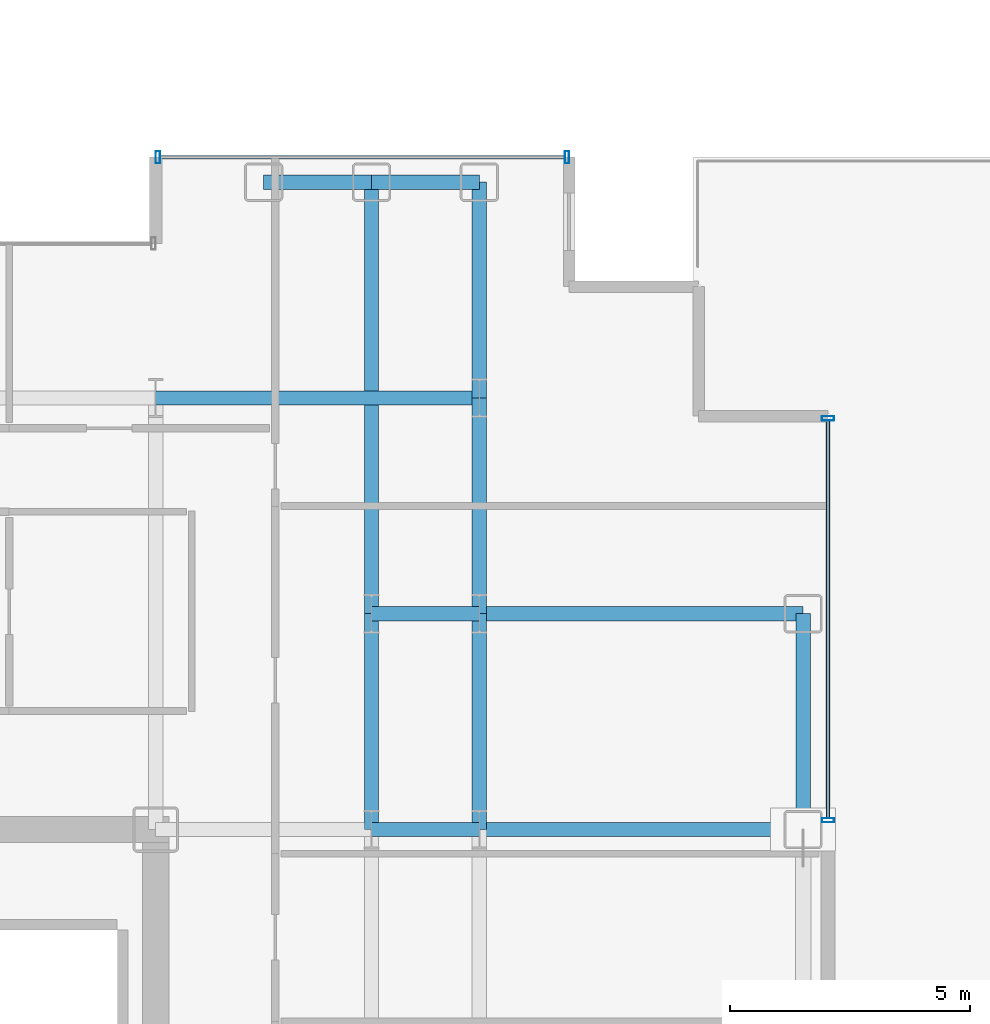
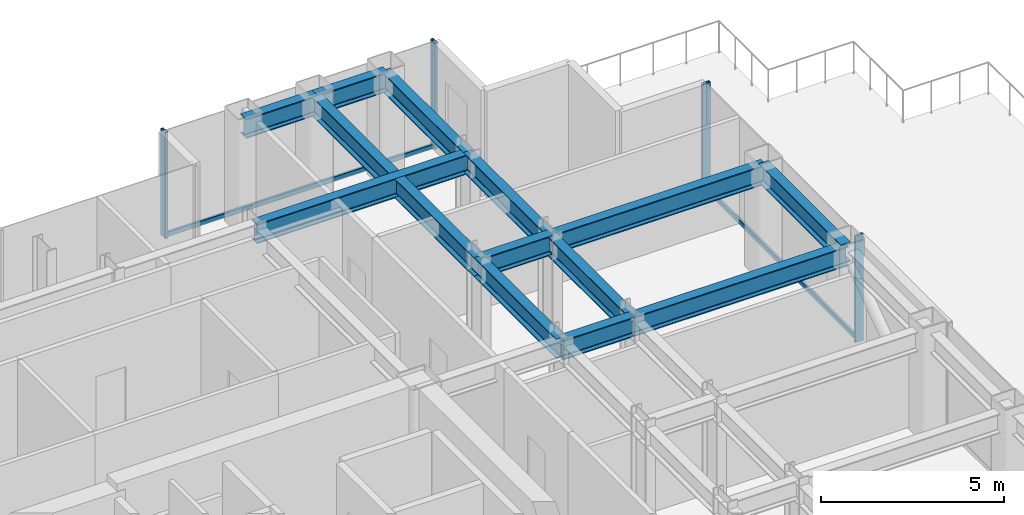
# One storey, part 16 of 27: 13 beams, 6 members, 2 elements without a shape of their own.
"""IFC4 building model written with IfcOpenShell, lengths in metres."""

from ifc_helpers import new_model, si_unit, direction, frame, origin, origin_2d, place, context, subcontext, project, spatial, hollow_rectangle, i_section, extrude, source, transform, mapped, material, layer, layer_set, material_profile, profile_set, type_object, element, aggregate, save


model = new_model("IFC4")

# Units and contexts
model_context = context("Model", 3, precision=1e-05, world=origin(), true_north=direction((0.0, 1.0)))
body_context = subcontext(model_context, "Body", "Model", "MODEL_VIEW")
ifc_project = project(units=[si_unit("LENGTHUNIT", "METRE"), si_unit("AREAUNIT", "SQUARE_METRE"), si_unit("VOLUMEUNIT", "CUBIC_METRE"), si_unit("PLANEANGLEUNIT", "RADIAN"), si_unit("MASSUNIT", "GRAM", prefix="KILO")], contexts=[model_context])

# Site, building, storey
site_placement = place(None, origin())
site = spatial("IfcSite", under=ifc_project, at=site_placement, CompositionType="ELEMENT")
building_placement = place(site_placement, origin())
building = spatial("IfcBuilding", under=site, at=building_placement, Name="Nefas-Gora Pilgrimage Tower", CompositionType="ELEMENT")
storey_placement = place(building_placement, frame((0.0, 0.0, 148.800048828125)))
storey = spatial("IfcBuildingStorey", under=building, at=storey_placement, Name="L36", CompositionType="ELEMENT", Elevation=148.800048828125)

# Beams
ifc_material_1 = material(Name="Steel S355", Category="steel")
ifc_material_profile_1 = material_profile(ifc_material_1, i_section(OverallWidth=0.300048828125, OverallDepth=0.64990234375, WebThickness=0.01611328125, FlangeThickness=0.031005859375, FilletRadius=0.027099609375, at=origin_2d()), Name="HEB 650")
ifc_profile_set_1 = profile_set([ifc_material_profile_1], Name="Steel S355")
beam_type_1 = type_object("IfcBeamType", Name="BM-SPN-HEB500", PredefinedType="SPANDREL", material=ifc_profile_set_1)
shared_shape_1 = source(origin(), body_context, "Body", "SweptSolid", [
    extrude(i_section(OverallWidth=0.300048828125, OverallDepth=0.64990234375, WebThickness=0.01611328125, FlangeThickness=0.031005859375, FilletRadius=0.027099609375, at=origin_2d()), origin(), (0.0, 0.0, 1.0), 4.5),
])
beam_1_placement = place(storey_placement, frame((24.75, 9.0, 3.224853515625), z_axis=(0.0, 1.0, 0.0), x_axis=(-1.0, 0.0, 0.0)))
element("IfcBeam", 1, at=beam_1_placement, inside=storey, type_object=beam_type_1, Name="L36 SP-02 beam", PredefinedType="SPANDREL", context=body_context, shape_type="MappedRepresentation", body=[
    mapped(shared_shape_1, transform((0.0, 0.0, 0.0), x_axis=(1.0, 0.0, 0.0), y_axis=(0.0, 1.0, 0.0), z_axis=(0.0, 0.0, 1.0), scale=1.0)),
])
ifc_material_profile_2 = material_profile(ifc_material_1, i_section(OverallWidth=0.300048828125, OverallDepth=0.64990234375, WebThickness=0.01611328125, FlangeThickness=0.031005859375, FilletRadius=0.027099609375, at=origin_2d()), Name="HEB 650")
ifc_profile_set_2 = profile_set([ifc_material_profile_2], Name="Steel S355")
beam_type_2 = type_object("IfcBeamType", Name="BM-GIR-HEB650", PredefinedType="BEAM", material=ifc_profile_set_2)
shared_shape_2 = source(origin(), body_context, "Body", "SweptSolid", [
    extrude(i_section(OverallWidth=0.300048828125, OverallDepth=0.64990234375, WebThickness=0.01611328125, FlangeThickness=0.031005859375, FilletRadius=0.027099609375, at=origin_2d()), origin(), (0.0, 0.0, 1.0), 9.0),
])
beam_2_placement = place(storey_placement, frame((15.75, 13.5, 3.224853515625), z_axis=(0.0, 1.0, 0.0), x_axis=(-1.0, 0.0, 0.0)))
element("IfcBeam", 2, at=beam_2_placement, inside=storey, type_object=beam_type_2, Name="L36 G-03 beam", PredefinedType="BEAM", context=body_context, shape_type="MappedRepresentation", body=[
    mapped(shared_shape_2, transform((0.0, 0.0, 0.0), x_axis=(1.0, 0.0, 0.0), y_axis=(0.0, 1.0, 0.0), z_axis=(0.0, 0.0, 1.0), scale=1.0)),
])
shared_shape_3 = source(origin(), body_context, "Body", "SweptSolid", [
    extrude(i_section(OverallWidth=0.300048828125, OverallDepth=0.64990234375, WebThickness=0.01611328125, FlangeThickness=0.031005859375, FilletRadius=0.027099609375, at=origin_2d()), origin(), (0.0, 0.0, 1.0), 4.5),
])
for number, where, z_axis, x_axis, name in (
    (3, (15.75, 9.0, 3.224853515625), (0.0, 1.0, 0.0), (-1.0, 0.0, 0.0), "L36 G-03 beam"),
    (4, (18.0, 9.0, 3.224853515625), (0.0, 1.0, 0.0), (-1.0, 0.0, 0.0), "L36 G-03 beam"),
    (5, (18.0, 13.5, 3.224853515625), (0.0, 1.0, 0.0), (-1.0, 0.0, 0.0), "L36 G-03 beam"),
    (6, (18.0, 18.0, 3.224853515625), (0.0, 1.0, 0.0), (-1.0, 0.0, 0.0), "L36 G-03 beam"),
):
    element("IfcBeam", number, at=place(storey_placement, frame(where, z_axis=z_axis, x_axis=x_axis)), inside=storey, type_object=beam_type_2, Name=name, PredefinedType="BEAM", context=body_context, shape_type="MappedRepresentation", body=[
        mapped(shared_shape_3, transform((0.0, 0.0, 0.0), x_axis=(1.0, 0.0, 0.0), y_axis=(0.0, 1.0, 0.0), z_axis=(0.0, 0.0, 1.0), scale=1.0)),
    ])
shared_shape_4 = source(origin(), body_context, "Body", "SweptSolid", [
    extrude(i_section(OverallWidth=0.300048828125, OverallDepth=0.64990234375, WebThickness=0.01611328125, FlangeThickness=0.031005859375, FilletRadius=0.027099609375, at=origin_2d()), origin(), (0.0, 0.0, 1.0), 6.75),
])
for number, where, z_axis, x_axis, name in (
    (7, (11.25, 18.0, 3.224853515625), (1.0, 0.0, 0.0), (0.0, 1.0, 0.0), "L36 G-03 beam"),
    (8, (18.0, 9.0, 3.224853515625), (1.0, 0.0, 0.0), (0.0, 1.0, 0.0), "L36 G-03 beam"),
    (9, (18.0, 13.5, 3.224853515625), (1.0, 0.0, 0.0), (0.0, 1.0, 0.0), "L36 G-03 beam"),
):
    element("IfcBeam", number, at=place(storey_placement, frame(where, z_axis=z_axis, x_axis=x_axis)), inside=storey, type_object=beam_type_2, Name=name, PredefinedType="BEAM", context=body_context, shape_type="MappedRepresentation", body=[
        mapped(shared_shape_4, transform((0.0, 0.0, 0.0), x_axis=(1.0, 0.0, 0.0), y_axis=(0.0, 1.0, 0.0), z_axis=(0.0, 0.0, 1.0), scale=1.0)),
    ])
shared_shape_5 = source(origin(), body_context, "Body", "SweptSolid", [
    extrude(i_section(OverallWidth=0.300048828125, OverallDepth=0.64990234375, WebThickness=0.01611328125, FlangeThickness=0.031005859375, FilletRadius=0.027099609375, at=origin_2d()), origin(), (0.0, 0.0, 1.0), 2.25),
])
for number, where, z_axis, x_axis, name in (
    (10, (13.5, 22.5, 3.224853515625), (1.0, 0.0, 0.0), (0.0, 1.0, 0.0), "L36 SP-02 beam"),
    (11, (15.75, 22.5, 3.224853515625), (1.0, 0.0, 0.0), (0.0, 1.0, 0.0), "L36 SP-02 beam"),
):
    element("IfcBeam", number, at=place(storey_placement, frame(where, z_axis=z_axis, x_axis=x_axis)), inside=storey, type_object=beam_type_1, Name=name, PredefinedType="SPANDREL", context=body_context, shape_type="MappedRepresentation", body=[
        mapped(shared_shape_5, transform((0.0, 0.0, 0.0), x_axis=(1.0, 0.0, 0.0), y_axis=(0.0, 1.0, 0.0), z_axis=(0.0, 0.0, 1.0), scale=1.0)),
    ])
shared_shape_6 = source(origin(), body_context, "Body", "SweptSolid", [
    extrude(i_section(OverallWidth=0.300048828125, OverallDepth=0.64990234375, WebThickness=0.01611328125, FlangeThickness=0.031005859375, FilletRadius=0.027099609375, at=origin_2d()), origin(), (0.0, 0.0, 1.0), 2.25),
])
for number, where, z_axis, x_axis, name in (
    (12, (15.75, 9.0, 3.224853515625), (1.0, 0.0, 0.0), (0.0, 1.0, 0.0), "L36 G-03 beam"),
    (13, (15.75, 13.5, 3.224853515625), (1.0, 0.0, 0.0), (0.0, 1.0, 0.0), "L36 G-03 beam"),
):
    element("IfcBeam", number, at=place(storey_placement, frame(where, z_axis=z_axis, x_axis=x_axis)), inside=storey, type_object=beam_type_2, Name=name, PredefinedType="BEAM", context=body_context, shape_type="MappedRepresentation", body=[
        mapped(shared_shape_6, transform((0.0, 0.0, 0.0), x_axis=(1.0, 0.0, 0.0), y_axis=(0.0, 1.0, 0.0), z_axis=(0.0, 0.0, 1.0), scale=1.0)),
    ])

# Curtain wall, members
ifc_material_2 = material(Name="Dark ceramic-fritted solar-control aluminium-glass curtain wall", Category="aluminium")
ifc_layer = layer(ifc_material_2, 0.219970703125)
ifc_layer_set = layer_set([ifc_layer], Name="Dark ceramic-fritted solar-control aluminium-glass curtain wall")
curtain_wall_type = type_object("IfcCurtainWallType", Name="CW-SYS-3", PredefinedType="NOTDEFINED", material=ifc_layer_set)
curtain_wall_1_placement = place(storey_placement, origin())
curtain_wall_1 = element("IfcCurtainWall", 14, at=curtain_wall_1_placement, inside=storey, type_object=curtain_wall_type, Name="L36 Unitised Curtain Wall CW3", PredefinedType="NOTDEFINED")
ifc_material_3 = material(Name="Anodised architectural aluminium", Category="aluminium")
ifc_material_profile_3 = material_profile(ifc_material_3, hollow_rectangle(XDim=0.090087890625, YDim=0.260009765625, WallThickness=0.006103515625, InnerFilletRadius=0.006103515625, OuterFilletRadius=0.011962890625, at=origin_2d()), Name="ALU MULLION 90x260")
ifc_profile_set_3 = profile_set([ifc_material_profile_3], Name="Anodised architectural aluminium")
member_type_1 = type_object("IfcMemberType", Name="CWM-MUL-3", PredefinedType="MULLION", material=ifc_profile_set_3)
shared_shape_7 = source(origin(), body_context, "Body", "SweptSolid", [
    extrude(hollow_rectangle(XDim=0.090087890625, YDim=0.260009765625, WallThickness=0.006103515625, InnerFilletRadius=0.006103515625, OuterFilletRadius=0.011962890625, at=origin_2d()), origin(), (0.0, 0.0, 1.0), 3.550048828125),
])
member_1_placement = place(storey_placement, frame((25.27001953125, 9.195068359375, 0.0), z_axis=(0.0, 0.0, 1.0), x_axis=(0.0, 1.0, 0.0)))
member_1 = element("IfcMember", 15, at=member_1_placement, type_object=member_type_1, Name="CW3 Mullion 1", PredefinedType="MULLION", context=body_context, shape_type="MappedRepresentation", body=[
    mapped(shared_shape_7, transform((0.0, 0.0, 0.0), x_axis=(1.0, 0.0, 0.0), y_axis=(0.0, 1.0, 0.0), z_axis=(0.0, 0.0, 1.0), scale=1.0)),
])
member_2_placement = place(storey_placement, frame((25.27001953125, 17.574951171875, 0.0), z_axis=(0.0, 0.0, 1.0), x_axis=(0.0, 1.0, 0.0)))
member_2 = element("IfcMember", 16, at=member_2_placement, type_object=member_type_1, Name="CW3 Mullion 2", PredefinedType="MULLION", context=body_context, shape_type="MappedRepresentation", body=[
    mapped(shared_shape_7, transform((0.0, 0.0, 0.0), x_axis=(1.0, 0.0, 0.0), y_axis=(0.0, 1.0, 0.0), z_axis=(0.0, 0.0, 1.0), scale=1.0)),
])

curtain_wall_2_placement = place(storey_placement, origin())
curtain_wall_2 = element("IfcCurtainWall", 17, at=curtain_wall_2_placement, inside=storey, type_object=curtain_wall_type, Name="L36 Unitised Curtain Wall CW3", PredefinedType="NOTDEFINED")
member_3_placement = place(storey_placement, frame((19.824951171875, 23.02001953125, 0.0), z_axis=(0.0, 0.0, 1.0), x_axis=(-1.0, 0.0, 0.0)))
member_3 = element("IfcMember", 18, at=member_3_placement, type_object=member_type_1, Name="CW3 Mullion 1", PredefinedType="MULLION", context=body_context, shape_type="MappedRepresentation", body=[
    mapped(shared_shape_7, transform((0.0, 0.0, 0.0), x_axis=(1.0, 0.0, 0.0), y_axis=(0.0, 1.0, 0.0), z_axis=(0.0, 0.0, 1.0), scale=1.0)),
])
member_4_placement = place(storey_placement, frame((11.294921875, 23.02001953125, 0.0), z_axis=(0.0, 0.0, 1.0), x_axis=(-1.0, 0.0, 0.0)))
member_4 = element("IfcMember", 19, at=member_4_placement, type_object=member_type_1, Name="CW3 Mullion 2", PredefinedType="MULLION", context=body_context, shape_type="MappedRepresentation", body=[
    mapped(shared_shape_7, transform((0.0, 0.0, 0.0), x_axis=(1.0, 0.0, 0.0), y_axis=(0.0, 1.0, 0.0), z_axis=(0.0, 0.0, 1.0), scale=1.0)),
])
ifc_material_profile_4 = material_profile(ifc_material_3, hollow_rectangle(XDim=0.080078125, YDim=0.159912109375, WallThickness=0.00439453125, InnerFilletRadius=0.00439453125, OuterFilletRadius=0.009033203125, at=origin_2d()), Name="ALU TRANSOM 80x160")
ifc_profile_set_4 = profile_set([ifc_material_profile_4], Name="Anodised architectural aluminium")
member_type_2 = type_object("IfcMemberType", Name="CWM-TRN-3", PredefinedType="USERDEFINED", material=ifc_profile_set_4)
shared_shape_8 = source(origin(), body_context, "Body", "SweptSolid", [
    extrude(hollow_rectangle(XDim=0.080078125, YDim=0.159912109375, WallThickness=0.00439453125, InnerFilletRadius=0.00439453125, OuterFilletRadius=0.009033203125, at=origin_2d()), origin(), (0.0, 0.0, 1.0), 8.43994140625),
])
member_5_placement = place(storey_placement, frame((19.780029296875, 23.02001953125, 0.050048828125), z_axis=(-1.0, 0.0, 0.0), x_axis=(0.0, -1.0, 0.0)))
member_5 = element("IfcMember", 20, at=member_5_placement, type_object=member_type_2, Name="CW3 Spandrel Transom", ObjectType="TRANSOM", PredefinedType="USERDEFINED", context=body_context, shape_type="MappedRepresentation", body=[
    mapped(shared_shape_8, transform((0.0, 0.0, 0.0), x_axis=(1.0, 0.0, 0.0), y_axis=(0.0, 1.0, 0.0), z_axis=(0.0, 0.0, 1.0), scale=1.0)),
])
aggregate(curtain_wall_2, [member_3, member_4, member_5])

# Member
shared_shape_9 = source(origin(), body_context, "Body", "SweptSolid", [
    extrude(hollow_rectangle(XDim=0.080078125, YDim=0.159912109375, WallThickness=0.00439453125, InnerFilletRadius=0.00439453125, OuterFilletRadius=0.009033203125, at=origin_2d()), origin(), (0.0, 0.0, 1.0), 8.2900390625),
])
member_6_placement = place(storey_placement, frame((25.27001953125, 9.239990234375, 0.050048828125), z_axis=(0.0, 1.0, 0.0), x_axis=(-1.0, 0.0, 0.0)))
member_6 = element("IfcMember", 21, at=member_6_placement, type_object=member_type_2, Name="CW3 Spandrel Transom", ObjectType="TRANSOM", PredefinedType="USERDEFINED", context=body_context, shape_type="MappedRepresentation", body=[
    mapped(shared_shape_9, transform((0.0, 0.0, 0.0), x_axis=(1.0, 0.0, 0.0), y_axis=(0.0, 1.0, 0.0), z_axis=(0.0, 0.0, 1.0), scale=1.0)),
])

aggregate(curtain_wall_1, [member_1, member_2, member_6])

save(model, "model.ifc")
